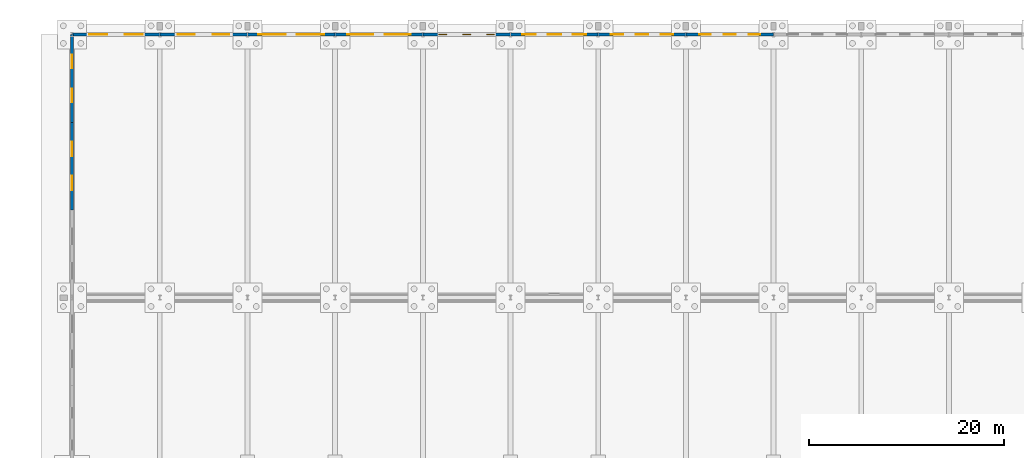
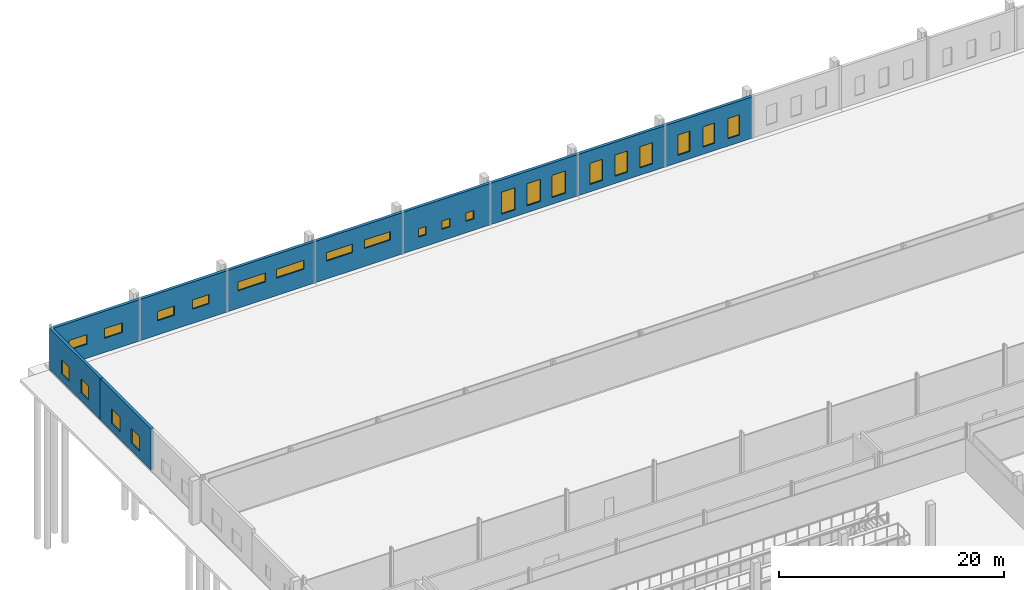
# One storey, part 83 of 112: 24 windows, 10 walls, 24 openings.
"""IFC4 building model written with IfcOpenShell, lengths in metres."""

from ifc_helpers import new_model, si_unit, direction, frame, frame_2d, origin, place, context, subcontext, project, spatial, rectangle, extrude, material, layer, layer_set, type_object, element, fill, save


model = new_model("IFC4")

# Units and contexts
model_context = context("Model", 3, precision=1e-05, world=origin(), true_north=direction((0.0, 1.0)))
body_context = subcontext(model_context, "Body", "Model", "MODEL_VIEW")
ifc_project = project(units=[si_unit("LENGTHUNIT", "METRE"), si_unit("AREAUNIT", "SQUARE_METRE"), si_unit("VOLUMEUNIT", "CUBIC_METRE"), si_unit("PLANEANGLEUNIT", "RADIAN"), si_unit("MASSUNIT", "GRAM", prefix="KILO")], contexts=[model_context])

# Site, building, storey
site_placement = place(None, origin())
site = spatial("IfcSite", under=ifc_project, at=site_placement, CompositionType="ELEMENT")
building_placement = place(site_placement, origin())
building = spatial("IfcBuilding", under=site, at=building_placement, Name="Tharagai Park Tramway Depot", CompositionType="ELEMENT")
storey_placement = place(building_placement, origin())
storey = spatial("IfcBuildingStorey", under=building, at=storey_placement, Name="L00", CompositionType="ELEMENT", Elevation=0.0)

# Wall, openings, windows
ifc_material_1 = material(Name="Pressed clay brick", Category="masonry")
ifc_layer = layer(ifc_material_1, 0.300048828125)
ifc_layer_set = layer_set([ifc_layer], Name="Pressed clay brick")
wall_type = type_object("IfcWallType", Name="EW-08", PredefinedType="SOLIDWALL", material=ifc_layer_set)
wall_1_placement = place(storey_placement, frame((0.00390625, 144.0, 0.0), z_axis=(0.0, 0.0, 1.0), x_axis=(1.0, 0.0, 0.0)))
wall_1 = element("IfcWall", 1, at=wall_1_placement, inside=storey, type_object=wall_type, Name="L00 V1 Exterior Masonry Wall EW-08", PredefinedType="SOLIDWALL", context=body_context, shape_type="SweptSolid", body=[
    extrude(rectangle(XDim=8.9921875, YDim=0.300048828125, at=frame_2d((4.49609375, 0.0))), origin(), (0.0, 0.0, 1.0), 4.491943359375),
])
opening_1_placement = place(wall_1_placement, frame((1.763916015625, 0.0, 1.550048828125)))
opening_1 = element("IfcOpeningElement", 2, at=opening_1_placement, cuts=wall_1, Name="Opening WN-05", PredefinedType="OPENING", context=body_context, shape_type="SweptSolid", body=[
    extrude(rectangle(XDim=1.85009765625, YDim=1.0400390625, at=frame_2d((0.925048828125, 0.52001953125))), frame((0.0, 0.159912109375, 0.0), z_axis=(0.0, -1.0, 0.0), x_axis=(1.0, 0.0, 0.0)), (0.0, 0.0, 1.0), 0.320068359375),
])
opening_2_placement = place(wall_1_placement, frame((5.3779296875, 0.0, 1.550048828125)))
opening_2 = element("IfcOpeningElement", 3, at=opening_2_placement, cuts=wall_1, Name="Opening WN-05", PredefinedType="OPENING", context=body_context, shape_type="SweptSolid", body=[
    extrude(rectangle(XDim=1.85009765625, YDim=1.0400390625, at=frame_2d((0.925048828125, 0.52001953125))), frame((0.0, 0.159912109375, 0.0), z_axis=(0.0, -1.0, 0.0), x_axis=(1.0, 0.0, 0.0)), (0.0, 0.0, 1.0), 0.320068359375),
])
ifc_material_2 = material(Name="Laminated solar-control glass", Category="glass")
window_type_1 = type_object("IfcWindowType", Name="WN-05", PartitioningType="SINGLE_PANEL", PredefinedType="WINDOW", material=ifc_material_2)
window_1_placement = place(opening_1_placement, origin())
window_1 = element("IfcWindow", 4, at=window_1_placement, inside=storey, type_object=window_type_1, Name="L00 V1 Gothic Lancet Window WN-05", OverallHeight=1.0400390625, OverallWidth=1.85009765625, PartitioningType="SINGLE_PANEL", PredefinedType="WINDOW", context=body_context, shape_type="SweptSolid", body=[
    extrude(rectangle(XDim=1.85009765625, YDim=1.0400390625, at=frame_2d((0.925048828125, 0.52001953125))), frame((0.0, 0.030029296875, 0.0), z_axis=(0.0, -1.0, 0.0), x_axis=(1.0, 0.0, 0.0)), (0.0, 0.0, 1.0), 0.06005859375),
])
fill(opening_1, window_1)
window_2_placement = place(opening_2_placement, origin())
window_2 = element("IfcWindow", 5, at=window_2_placement, inside=storey, type_object=window_type_1, Name="L00 V1 Gothic Lancet Window WN-05", OverallHeight=1.0400390625, OverallWidth=1.85009765625, PartitioningType="SINGLE_PANEL", PredefinedType="WINDOW", context=body_context, shape_type="SweptSolid", body=[
    extrude(rectangle(XDim=1.85009765625, YDim=1.0400390625, at=frame_2d((0.925048828125, 0.52001953125))), frame((0.0, 0.030029296875, 0.0), z_axis=(0.0, -1.0, 0.0), x_axis=(1.0, 0.0, 0.0)), (0.0, 0.0, 1.0), 0.06005859375),
])
fill(opening_2, window_2)

wall_2_placement = place(storey_placement, frame((9.00390625, 144.0, 0.0), z_axis=(0.0, 0.0, 1.0), x_axis=(1.0, 0.0, 0.0)))
wall_2 = element("IfcWall", 6, at=wall_2_placement, inside=storey, type_object=wall_type, Name="L00 V1 Exterior Masonry Wall EW-08", PredefinedType="SOLIDWALL", context=body_context, shape_type="SweptSolid", body=[
    extrude(rectangle(XDim=8.9921875, YDim=0.300048828125, at=frame_2d((4.49609375, 0.0))), origin(), (0.0, 0.0, 1.0), 4.491943359375),
])
opening_3_placement = place(wall_2_placement, frame((1.864013671875, 0.0, 1.550048828125)))
opening_3 = element("IfcOpeningElement", 7, at=opening_3_placement, cuts=wall_2, Name="Opening WN-31", PredefinedType="OPENING", context=body_context, shape_type="SweptSolid", body=[
    extrude(rectangle(XDim=1.699951171875, YDim=1.0, at=frame_2d((0.85009765625, 0.5))), frame((0.0, 0.159912109375, 0.0), z_axis=(0.0, -1.0, 0.0), x_axis=(1.0, 0.0, 0.0)), (0.0, 0.0, 1.0), 0.320068359375),
])
opening_4_placement = place(wall_2_placement, frame((5.427978515625, 0.0, 1.550048828125)))
opening_4 = element("IfcOpeningElement", 8, at=opening_4_placement, cuts=wall_2, Name="Opening WN-31", PredefinedType="OPENING", context=body_context, shape_type="SweptSolid", body=[
    extrude(rectangle(XDim=1.699951171875, YDim=1.0, at=frame_2d((0.85009765625, 0.5))), frame((0.0, 0.159912109375, 0.0), z_axis=(0.0, -1.0, 0.0), x_axis=(1.0, 0.0, 0.0)), (0.0, 0.0, 1.0), 0.320068359375),
])
window_type_2 = type_object("IfcWindowType", Name="WN-31", PartitioningType="SINGLE_PANEL", PredefinedType="WINDOW", material=ifc_material_2)
window_3_placement = place(opening_3_placement, origin())
window_3 = element("IfcWindow", 9, at=window_3_placement, inside=storey, type_object=window_type_2, Name="L00 V1 Gothic Lancet Window WN-31", OverallHeight=1.0, OverallWidth=1.699951171875, PartitioningType="SINGLE_PANEL", PredefinedType="WINDOW", context=body_context, shape_type="SweptSolid", body=[
    extrude(rectangle(XDim=1.699951171875, YDim=1.0, at=frame_2d((0.85009765625, 0.5))), frame((0.0, 0.030029296875, 0.0), z_axis=(0.0, -1.0, 0.0), x_axis=(1.0, 0.0, 0.0)), (0.0, 0.0, 1.0), 0.06005859375),
])
fill(opening_3, window_3)
window_4_placement = place(opening_4_placement, origin())
window_4 = element("IfcWindow", 10, at=window_4_placement, inside=storey, type_object=window_type_2, Name="L00 V1 Gothic Lancet Window WN-31", OverallHeight=1.0, OverallWidth=1.699951171875, PartitioningType="SINGLE_PANEL", PredefinedType="WINDOW", context=body_context, shape_type="SweptSolid", body=[
    extrude(rectangle(XDim=1.699951171875, YDim=1.0, at=frame_2d((0.85009765625, 0.5))), frame((0.0, 0.030029296875, 0.0), z_axis=(0.0, -1.0, 0.0), x_axis=(1.0, 0.0, 0.0)), (0.0, 0.0, 1.0), 0.06005859375),
])
fill(opening_4, window_4)

wall_3_placement = place(storey_placement, frame((18.00390625, 144.0, 0.0), z_axis=(0.0, 0.0, 1.0), x_axis=(1.0, 0.0, 0.0)))
wall_3 = element("IfcWall", 11, at=wall_3_placement, inside=storey, type_object=wall_type, Name="L00 V1 Exterior Masonry Wall EW-08", PredefinedType="SOLIDWALL", context=body_context, shape_type="SweptSolid", body=[
    extrude(rectangle(XDim=8.9921875, YDim=0.300048828125, at=frame_2d((4.49609375, 0.0))), origin(), (0.0, 0.0, 1.0), 4.491943359375),
])
opening_5_placement = place(wall_3_placement, frame((1.096923828125, 0.0, 1.89990234375)))
opening_5 = element("IfcOpeningElement", 12, at=opening_5_placement, cuts=wall_3, Name="Opening WN-14", PredefinedType="OPENING", context=body_context, shape_type="SweptSolid", body=[
    extrude(rectangle(XDim=2.85009765625, YDim=0.9599609375, at=frame_2d((1.425048828125, 0.47998046875))), frame((0.0, 0.159912109375, 0.0), z_axis=(0.0, -1.0, 0.0), x_axis=(1.0, 0.0, 0.0)), (0.0, 0.0, 1.0), 0.320068359375),
])
opening_6_placement = place(wall_3_placement, frame((5.044921875, 0.0, 1.89990234375)))
opening_6 = element("IfcOpeningElement", 13, at=opening_6_placement, cuts=wall_3, Name="Opening WN-14", PredefinedType="OPENING", context=body_context, shape_type="SweptSolid", body=[
    extrude(rectangle(XDim=2.85009765625, YDim=0.9599609375, at=frame_2d((1.425048828125, 0.47998046875))), frame((0.0, 0.159912109375, 0.0), z_axis=(0.0, -1.0, 0.0), x_axis=(1.0, 0.0, 0.0)), (0.0, 0.0, 1.0), 0.320068359375),
])
window_type_3 = type_object("IfcWindowType", Name="WN-14", PartitioningType="SINGLE_PANEL", PredefinedType="WINDOW", material=ifc_material_2)
window_5_placement = place(opening_5_placement, origin())
window_5 = element("IfcWindow", 14, at=window_5_placement, inside=storey, type_object=window_type_3, Name="L00 V1 Gothic Lancet Window WN-14", OverallHeight=0.9599609375, OverallWidth=2.85009765625, PartitioningType="SINGLE_PANEL", PredefinedType="WINDOW", context=body_context, shape_type="SweptSolid", body=[
    extrude(rectangle(XDim=2.85009765625, YDim=0.9599609375, at=frame_2d((1.425048828125, 0.47998046875))), frame((0.0, 0.030029296875, 0.0), z_axis=(0.0, -1.0, 0.0), x_axis=(1.0, 0.0, 0.0)), (0.0, 0.0, 1.0), 0.06005859375),
])
fill(opening_5, window_5)
window_6_placement = place(opening_6_placement, origin())
window_6 = element("IfcWindow", 15, at=window_6_placement, inside=storey, type_object=window_type_3, Name="L00 V1 Gothic Lancet Window WN-14", OverallHeight=0.9599609375, OverallWidth=2.85009765625, PartitioningType="SINGLE_PANEL", PredefinedType="WINDOW", context=body_context, shape_type="SweptSolid", body=[
    extrude(rectangle(XDim=2.85009765625, YDim=0.9599609375, at=frame_2d((1.425048828125, 0.47998046875))), frame((0.0, 0.030029296875, 0.0), z_axis=(0.0, -1.0, 0.0), x_axis=(1.0, 0.0, 0.0)), (0.0, 0.0, 1.0), 0.06005859375),
])
fill(opening_6, window_6)

wall_4_placement = place(storey_placement, frame((27.00390625, 144.0, 0.0), z_axis=(0.0, 0.0, 1.0), x_axis=(1.0, 0.0, 0.0)))
wall_4 = element("IfcWall", 16, at=wall_4_placement, inside=storey, type_object=wall_type, Name="L00 V1 Exterior Masonry Wall EW-08", PredefinedType="SOLIDWALL", context=body_context, shape_type="SweptSolid", body=[
    extrude(rectangle(XDim=8.9921875, YDim=0.300048828125, at=frame_2d((4.49609375, 0.0))), origin(), (0.0, 0.0, 1.0), 4.491943359375),
])
opening_7_placement = place(wall_4_placement, frame((1.23095703125, 0.0, 1.949951171875)))
opening_7 = element("IfcOpeningElement", 17, at=opening_7_placement, cuts=wall_4, Name="Opening WN-46", PredefinedType="OPENING", context=body_context, shape_type="SweptSolid", body=[
    extrude(rectangle(XDim=2.64990234375, YDim=0.919921875, at=frame_2d((1.324951171875, 0.4599609375))), frame((0.0, 0.159912109375, 0.0), z_axis=(0.0, -1.0, 0.0), x_axis=(1.0, 0.0, 0.0)), (0.0, 0.0, 1.0), 0.320068359375),
])
opening_8_placement = place(wall_4_placement, frame((5.111083984375, 0.0, 1.949951171875)))
opening_8 = element("IfcOpeningElement", 18, at=opening_8_placement, cuts=wall_4, Name="Opening WN-46", PredefinedType="OPENING", context=body_context, shape_type="SweptSolid", body=[
    extrude(rectangle(XDim=2.64990234375, YDim=0.919921875, at=frame_2d((1.324951171875, 0.4599609375))), frame((0.0, 0.159912109375, 0.0), z_axis=(0.0, -1.0, 0.0), x_axis=(1.0, 0.0, 0.0)), (0.0, 0.0, 1.0), 0.320068359375),
])
window_type_4 = type_object("IfcWindowType", Name="WN-46", PartitioningType="SINGLE_PANEL", PredefinedType="WINDOW", material=ifc_material_2)
window_7_placement = place(opening_7_placement, origin())
window_7 = element("IfcWindow", 19, at=window_7_placement, inside=storey, type_object=window_type_4, Name="L00 V1 Gothic Lancet Window WN-46", OverallHeight=0.919921875, OverallWidth=2.64990234375, PartitioningType="SINGLE_PANEL", PredefinedType="WINDOW", context=body_context, shape_type="SweptSolid", body=[
    extrude(rectangle(XDim=2.64990234375, YDim=0.919921875, at=frame_2d((1.324951171875, 0.4599609375))), frame((0.0, 0.030029296875, 0.0), z_axis=(0.0, -1.0, 0.0), x_axis=(1.0, 0.0, 0.0)), (0.0, 0.0, 1.0), 0.06005859375),
])
fill(opening_7, window_7)
window_8_placement = place(opening_8_placement, origin())
window_8 = element("IfcWindow", 20, at=window_8_placement, inside=storey, type_object=window_type_4, Name="L00 V1 Gothic Lancet Window WN-46", OverallHeight=0.919921875, OverallWidth=2.64990234375, PartitioningType="SINGLE_PANEL", PredefinedType="WINDOW", context=body_context, shape_type="SweptSolid", body=[
    extrude(rectangle(XDim=2.64990234375, YDim=0.919921875, at=frame_2d((1.324951171875, 0.4599609375))), frame((0.0, 0.030029296875, 0.0), z_axis=(0.0, -1.0, 0.0), x_axis=(1.0, 0.0, 0.0)), (0.0, 0.0, 1.0), 0.06005859375),
])
fill(opening_8, window_8)

wall_5_placement = place(storey_placement, frame((36.00390625, 144.0, 0.0), z_axis=(0.0, 0.0, 1.0), x_axis=(1.0, 0.0, 0.0)))
wall_5 = element("IfcWall", 21, at=wall_5_placement, inside=storey, type_object=wall_type, Name="L00 V1 Exterior Masonry Wall EW-08", PredefinedType="SOLIDWALL", context=body_context, shape_type="SweptSolid", body=[
    extrude(rectangle(XDim=8.9921875, YDim=0.300048828125, at=frame_2d((4.49609375, 0.0))), origin(), (0.0, 0.0, 1.0), 4.491943359375),
])
opening_9_placement = place(wall_5_placement, frame((1.64794921875, 0.0, 1.25)))
opening_9 = element("IfcOpeningElement", 22, at=opening_9_placement, cuts=wall_5, Name="Opening WN-30", PredefinedType="OPENING", context=body_context, shape_type="SweptSolid", body=[
    extrude(rectangle(XDim=0.800048828125, YDim=0.89990234375, at=frame_2d((0.39990234375, 0.449951171875))), frame((0.0, 0.159912109375, 0.0), z_axis=(0.0, -1.0, 0.0), x_axis=(1.0, 0.0, 0.0)), (0.0, 0.0, 1.0), 0.320068359375),
])
opening_10_placement = place(wall_5_placement, frame((4.095947265625, 0.0, 1.25)))
opening_10 = element("IfcOpeningElement", 23, at=opening_10_placement, cuts=wall_5, Name="Opening WN-30", PredefinedType="OPENING", context=body_context, shape_type="SweptSolid", body=[
    extrude(rectangle(XDim=0.800048828125, YDim=0.89990234375, at=frame_2d((0.39990234375, 0.449951171875))), frame((0.0, 0.159912109375, 0.0), z_axis=(0.0, -1.0, 0.0), x_axis=(1.0, 0.0, 0.0)), (0.0, 0.0, 1.0), 0.320068359375),
])
opening_11_placement = place(wall_5_placement, frame((6.5439453125, 0.0, 1.25)))
opening_11 = element("IfcOpeningElement", 24, at=opening_11_placement, cuts=wall_5, Name="Opening WN-30", PredefinedType="OPENING", context=body_context, shape_type="SweptSolid", body=[
    extrude(rectangle(XDim=0.800048828125, YDim=0.89990234375, at=frame_2d((0.39990234375, 0.449951171875))), frame((0.0, 0.159912109375, 0.0), z_axis=(0.0, -1.0, 0.0), x_axis=(1.0, 0.0, 0.0)), (0.0, 0.0, 1.0), 0.320068359375),
])
window_type_5 = type_object("IfcWindowType", Name="WN-30", PartitioningType="SINGLE_PANEL", PredefinedType="WINDOW", material=ifc_material_2)
window_9_placement = place(opening_9_placement, origin())
window_9 = element("IfcWindow", 25, at=window_9_placement, inside=storey, type_object=window_type_5, Name="L00 V1 Gothic Lancet Window WN-30", OverallHeight=0.89990234375, OverallWidth=0.800048828125, PartitioningType="SINGLE_PANEL", PredefinedType="WINDOW", context=body_context, shape_type="SweptSolid", body=[
    extrude(rectangle(XDim=0.800048828125, YDim=0.89990234375, at=frame_2d((0.39990234375, 0.449951171875))), frame((0.0, 0.030029296875, 0.0), z_axis=(0.0, -1.0, 0.0), x_axis=(1.0, 0.0, 0.0)), (0.0, 0.0, 1.0), 0.06005859375),
])
fill(opening_9, window_9)
window_10_placement = place(opening_10_placement, origin())
window_10 = element("IfcWindow", 26, at=window_10_placement, inside=storey, type_object=window_type_5, Name="L00 V1 Gothic Lancet Window WN-30", OverallHeight=0.89990234375, OverallWidth=0.800048828125, PartitioningType="SINGLE_PANEL", PredefinedType="WINDOW", context=body_context, shape_type="SweptSolid", body=[
    extrude(rectangle(XDim=0.800048828125, YDim=0.89990234375, at=frame_2d((0.39990234375, 0.449951171875))), frame((0.0, 0.030029296875, 0.0), z_axis=(0.0, -1.0, 0.0), x_axis=(1.0, 0.0, 0.0)), (0.0, 0.0, 1.0), 0.06005859375),
])
fill(opening_10, window_10)
window_11_placement = place(opening_11_placement, origin())
window_11 = element("IfcWindow", 27, at=window_11_placement, inside=storey, type_object=window_type_5, Name="L00 V1 Gothic Lancet Window WN-30", OverallHeight=0.89990234375, OverallWidth=0.800048828125, PartitioningType="SINGLE_PANEL", PredefinedType="WINDOW", context=body_context, shape_type="SweptSolid", body=[
    extrude(rectangle(XDim=0.800048828125, YDim=0.89990234375, at=frame_2d((0.39990234375, 0.449951171875))), frame((0.0, 0.030029296875, 0.0), z_axis=(0.0, -1.0, 0.0), x_axis=(1.0, 0.0, 0.0)), (0.0, 0.0, 1.0), 0.06005859375),
])
fill(opening_11, window_11)

wall_6_placement = place(storey_placement, frame((45.00390625, 144.0, 0.0), z_axis=(0.0, 0.0, 1.0), x_axis=(1.0, 0.0, 0.0)))
wall_6 = element("IfcWall", 28, at=wall_6_placement, inside=storey, type_object=wall_type, Name="L00 V1 Exterior Masonry Wall EW-08", PredefinedType="SOLIDWALL", context=body_context, shape_type="SweptSolid", body=[
    extrude(rectangle(XDim=8.9921875, YDim=0.300048828125, at=frame_2d((4.49609375, 0.0))), origin(), (0.0, 0.0, 1.0), 4.491943359375),
])
opening_12_placement = place(wall_6_placement, frame((1.197998046875, 0.0, 0.75)))
opening_12 = element("IfcOpeningElement", 29, at=opening_12_placement, cuts=wall_6, Name="Opening WN-29", PredefinedType="OPENING", context=body_context, shape_type="SweptSolid", body=[
    extrude(rectangle(XDim=1.39990234375, YDim=2.39990234375, at=frame_2d((0.699951171875, 1.199951171875))), frame((0.0, 0.159912109375, 0.0), z_axis=(0.0, -1.0, 0.0), x_axis=(1.0, 0.0, 0.0)), (0.0, 0.0, 1.0), 0.320068359375),
])
opening_13_placement = place(wall_6_placement, frame((3.7958984375, 0.0, 0.75)))
opening_13 = element("IfcOpeningElement", 30, at=opening_13_placement, cuts=wall_6, Name="Opening WN-29", PredefinedType="OPENING", context=body_context, shape_type="SweptSolid", body=[
    extrude(rectangle(XDim=1.39990234375, YDim=2.39990234375, at=frame_2d((0.699951171875, 1.199951171875))), frame((0.0, 0.159912109375, 0.0), z_axis=(0.0, -1.0, 0.0), x_axis=(1.0, 0.0, 0.0)), (0.0, 0.0, 1.0), 0.320068359375),
])
opening_14_placement = place(wall_6_placement, frame((6.39404296875, 0.0, 0.75)))
opening_14 = element("IfcOpeningElement", 31, at=opening_14_placement, cuts=wall_6, Name="Opening WN-29", PredefinedType="OPENING", context=body_context, shape_type="SweptSolid", body=[
    extrude(rectangle(XDim=1.39990234375, YDim=2.39990234375, at=frame_2d((0.699951171875, 1.199951171875))), frame((0.0, 0.159912109375, 0.0), z_axis=(0.0, -1.0, 0.0), x_axis=(1.0, 0.0, 0.0)), (0.0, 0.0, 1.0), 0.320068359375),
])
window_type_6 = type_object("IfcWindowType", Name="WN-29", PartitioningType="SINGLE_PANEL", PredefinedType="WINDOW", material=ifc_material_2)
window_12_placement = place(opening_12_placement, origin())
window_12 = element("IfcWindow", 32, at=window_12_placement, inside=storey, type_object=window_type_6, Name="L00 V1 Gothic Lancet Window WN-29", OverallHeight=2.39990234375, OverallWidth=1.39990234375, PartitioningType="SINGLE_PANEL", PredefinedType="WINDOW", context=body_context, shape_type="SweptSolid", body=[
    extrude(rectangle(XDim=1.39990234375, YDim=2.39990234375, at=frame_2d((0.699951171875, 1.199951171875))), frame((0.0, 0.030029296875, 0.0), z_axis=(0.0, -1.0, 0.0), x_axis=(1.0, 0.0, 0.0)), (0.0, 0.0, 1.0), 0.06005859375),
])
fill(opening_12, window_12)
window_13_placement = place(opening_13_placement, origin())
window_13 = element("IfcWindow", 33, at=window_13_placement, inside=storey, type_object=window_type_6, Name="L00 V1 Gothic Lancet Window WN-29", OverallHeight=2.39990234375, OverallWidth=1.39990234375, PartitioningType="SINGLE_PANEL", PredefinedType="WINDOW", context=body_context, shape_type="SweptSolid", body=[
    extrude(rectangle(XDim=1.39990234375, YDim=2.39990234375, at=frame_2d((0.699951171875, 1.199951171875))), frame((0.0, 0.030029296875, 0.0), z_axis=(0.0, -1.0, 0.0), x_axis=(1.0, 0.0, 0.0)), (0.0, 0.0, 1.0), 0.06005859375),
])
fill(opening_13, window_13)
window_14_placement = place(opening_14_placement, origin())
window_14 = element("IfcWindow", 34, at=window_14_placement, inside=storey, type_object=window_type_6, Name="L00 V1 Gothic Lancet Window WN-29", OverallHeight=2.39990234375, OverallWidth=1.39990234375, PartitioningType="SINGLE_PANEL", PredefinedType="WINDOW", context=body_context, shape_type="SweptSolid", body=[
    extrude(rectangle(XDim=1.39990234375, YDim=2.39990234375, at=frame_2d((0.699951171875, 1.199951171875))), frame((0.0, 0.030029296875, 0.0), z_axis=(0.0, -1.0, 0.0), x_axis=(1.0, 0.0, 0.0)), (0.0, 0.0, 1.0), 0.06005859375),
])
fill(opening_14, window_14)

wall_7_placement = place(storey_placement, frame((54.00390625, 144.0, 0.0), z_axis=(0.0, 0.0, 1.0), x_axis=(1.0, 0.0, 0.0)))
wall_7 = element("IfcWall", 35, at=wall_7_placement, inside=storey, type_object=wall_type, Name="L00 V1 Exterior Masonry Wall EW-08", PredefinedType="SOLIDWALL", context=body_context, shape_type="SweptSolid", body=[
    extrude(rectangle(XDim=8.9921875, YDim=0.300048828125, at=frame_2d((4.49609375, 0.0))), origin(), (0.0, 0.0, 1.0), 4.491943359375),
])
opening_15_placement = place(wall_7_placement, frame((1.27294921875, 0.0, 0.800048828125)))
opening_15 = element("IfcOpeningElement", 36, at=opening_15_placement, cuts=wall_7, Name="Opening WN-27", PredefinedType="OPENING", context=body_context, shape_type="SweptSolid", body=[
    extrude(rectangle(XDim=1.300048828125, YDim=2.300048828125, at=frame_2d((0.64990234375, 1.14990234375))), frame((0.0, 0.159912109375, 0.0), z_axis=(0.0, -1.0, 0.0), x_axis=(1.0, 0.0, 0.0)), (0.0, 0.0, 1.0), 0.320068359375),
])
opening_16_placement = place(wall_7_placement, frame((3.845947265625, 0.0, 0.800048828125)))
opening_16 = element("IfcOpeningElement", 37, at=opening_16_placement, cuts=wall_7, Name="Opening WN-27", PredefinedType="OPENING", context=body_context, shape_type="SweptSolid", body=[
    extrude(rectangle(XDim=1.300048828125, YDim=2.300048828125, at=frame_2d((0.64990234375, 1.14990234375))), frame((0.0, 0.159912109375, 0.0), z_axis=(0.0, -1.0, 0.0), x_axis=(1.0, 0.0, 0.0)), (0.0, 0.0, 1.0), 0.320068359375),
])
opening_17_placement = place(wall_7_placement, frame((6.4189453125, 0.0, 0.800048828125)))
opening_17 = element("IfcOpeningElement", 38, at=opening_17_placement, cuts=wall_7, Name="Opening WN-27", PredefinedType="OPENING", context=body_context, shape_type="SweptSolid", body=[
    extrude(rectangle(XDim=1.300048828125, YDim=2.300048828125, at=frame_2d((0.64990234375, 1.14990234375))), frame((0.0, 0.159912109375, 0.0), z_axis=(0.0, -1.0, 0.0), x_axis=(1.0, 0.0, 0.0)), (0.0, 0.0, 1.0), 0.320068359375),
])
window_type_7 = type_object("IfcWindowType", Name="WN-27", PartitioningType="SINGLE_PANEL", PredefinedType="WINDOW", material=ifc_material_2)
window_15_placement = place(opening_15_placement, origin())
window_15 = element("IfcWindow", 39, at=window_15_placement, inside=storey, type_object=window_type_7, Name="L00 V1 Gothic Lancet Window WN-27", OverallHeight=2.300048828125, OverallWidth=1.300048828125, PartitioningType="SINGLE_PANEL", PredefinedType="WINDOW", context=body_context, shape_type="SweptSolid", body=[
    extrude(rectangle(XDim=1.300048828125, YDim=2.300048828125, at=frame_2d((0.64990234375, 1.14990234375))), frame((0.0, 0.030029296875, 0.0), z_axis=(0.0, -1.0, 0.0), x_axis=(1.0, 0.0, 0.0)), (0.0, 0.0, 1.0), 0.06005859375),
])
fill(opening_15, window_15)
window_16_placement = place(opening_16_placement, origin())
window_16 = element("IfcWindow", 40, at=window_16_placement, inside=storey, type_object=window_type_7, Name="L00 V1 Gothic Lancet Window WN-27", OverallHeight=2.300048828125, OverallWidth=1.300048828125, PartitioningType="SINGLE_PANEL", PredefinedType="WINDOW", context=body_context, shape_type="SweptSolid", body=[
    extrude(rectangle(XDim=1.300048828125, YDim=2.300048828125, at=frame_2d((0.64990234375, 1.14990234375))), frame((0.0, 0.030029296875, 0.0), z_axis=(0.0, -1.0, 0.0), x_axis=(1.0, 0.0, 0.0)), (0.0, 0.0, 1.0), 0.06005859375),
])
fill(opening_16, window_16)
window_17_placement = place(opening_17_placement, origin())
window_17 = element("IfcWindow", 41, at=window_17_placement, inside=storey, type_object=window_type_7, Name="L00 V1 Gothic Lancet Window WN-27", OverallHeight=2.300048828125, OverallWidth=1.300048828125, PartitioningType="SINGLE_PANEL", PredefinedType="WINDOW", context=body_context, shape_type="SweptSolid", body=[
    extrude(rectangle(XDim=1.300048828125, YDim=2.300048828125, at=frame_2d((0.64990234375, 1.14990234375))), frame((0.0, 0.030029296875, 0.0), z_axis=(0.0, -1.0, 0.0), x_axis=(1.0, 0.0, 0.0)), (0.0, 0.0, 1.0), 0.06005859375),
])
fill(opening_17, window_17)

wall_8_placement = place(storey_placement, frame((63.00390625, 144.0, 0.0), z_axis=(0.0, 0.0, 1.0), x_axis=(1.0, 0.0, 0.0)))
wall_8 = element("IfcWall", 42, at=wall_8_placement, inside=storey, type_object=wall_type, Name="L00 V1 Exterior Masonry Wall EW-08", PredefinedType="SOLIDWALL", context=body_context, shape_type="SweptSolid", body=[
    extrude(rectangle(XDim=8.9921875, YDim=0.300048828125, at=frame_2d((4.49609375, 0.0))), origin(), (0.0, 0.0, 1.0), 4.491943359375),
])
opening_18_placement = place(wall_8_placement, frame((1.347900390625, 0.0, 0.800048828125)))
opening_18 = element("IfcOpeningElement", 43, at=opening_18_placement, cuts=wall_8, Name="Opening WN-15", PredefinedType="OPENING", context=body_context, shape_type="SweptSolid", body=[
    extrude(rectangle(XDim=1.199951171875, YDim=2.199951171875, at=frame_2d((0.60009765625, 1.10009765625))), frame((0.0, 0.159912109375, 0.0), z_axis=(0.0, -1.0, 0.0), x_axis=(1.0, 0.0, 0.0)), (0.0, 0.0, 1.0), 0.320068359375),
])
opening_19_placement = place(wall_8_placement, frame((3.89599609375, 0.0, 0.800048828125)))
opening_19 = element("IfcOpeningElement", 44, at=opening_19_placement, cuts=wall_8, Name="Opening WN-15", PredefinedType="OPENING", context=body_context, shape_type="SweptSolid", body=[
    extrude(rectangle(XDim=1.199951171875, YDim=2.199951171875, at=frame_2d((0.60009765625, 1.10009765625))), frame((0.0, 0.159912109375, 0.0), z_axis=(0.0, -1.0, 0.0), x_axis=(1.0, 0.0, 0.0)), (0.0, 0.0, 1.0), 0.320068359375),
])
opening_20_placement = place(wall_8_placement, frame((6.444091796875, 0.0, 0.800048828125)))
opening_20 = element("IfcOpeningElement", 45, at=opening_20_placement, cuts=wall_8, Name="Opening WN-15", PredefinedType="OPENING", context=body_context, shape_type="SweptSolid", body=[
    extrude(rectangle(XDim=1.199951171875, YDim=2.199951171875, at=frame_2d((0.60009765625, 1.10009765625))), frame((0.0, 0.159912109375, 0.0), z_axis=(0.0, -1.0, 0.0), x_axis=(1.0, 0.0, 0.0)), (0.0, 0.0, 1.0), 0.320068359375),
])
window_type_8 = type_object("IfcWindowType", Name="WN-15", PartitioningType="SINGLE_PANEL", PredefinedType="WINDOW", material=ifc_material_2)
window_18_placement = place(opening_18_placement, origin())
window_18 = element("IfcWindow", 46, at=window_18_placement, inside=storey, type_object=window_type_8, Name="L00 V1 Gothic Lancet Window WN-15", OverallHeight=2.199951171875, OverallWidth=1.199951171875, PartitioningType="SINGLE_PANEL", PredefinedType="WINDOW", context=body_context, shape_type="SweptSolid", body=[
    extrude(rectangle(XDim=1.199951171875, YDim=2.199951171875, at=frame_2d((0.60009765625, 1.10009765625))), frame((0.0, 0.030029296875, 0.0), z_axis=(0.0, -1.0, 0.0), x_axis=(1.0, 0.0, 0.0)), (0.0, 0.0, 1.0), 0.06005859375),
])
fill(opening_18, window_18)
window_19_placement = place(opening_19_placement, origin())
window_19 = element("IfcWindow", 47, at=window_19_placement, inside=storey, type_object=window_type_8, Name="L00 V1 Gothic Lancet Window WN-15", OverallHeight=2.199951171875, OverallWidth=1.199951171875, PartitioningType="SINGLE_PANEL", PredefinedType="WINDOW", context=body_context, shape_type="SweptSolid", body=[
    extrude(rectangle(XDim=1.199951171875, YDim=2.199951171875, at=frame_2d((0.60009765625, 1.10009765625))), frame((0.0, 0.030029296875, 0.0), z_axis=(0.0, -1.0, 0.0), x_axis=(1.0, 0.0, 0.0)), (0.0, 0.0, 1.0), 0.06005859375),
])
fill(opening_19, window_19)
window_20_placement = place(opening_20_placement, origin())
window_20 = element("IfcWindow", 48, at=window_20_placement, inside=storey, type_object=window_type_8, Name="L00 V1 Gothic Lancet Window WN-15", OverallHeight=2.199951171875, OverallWidth=1.199951171875, PartitioningType="SINGLE_PANEL", PredefinedType="WINDOW", context=body_context, shape_type="SweptSolid", body=[
    extrude(rectangle(XDim=1.199951171875, YDim=2.199951171875, at=frame_2d((0.60009765625, 1.10009765625))), frame((0.0, 0.030029296875, 0.0), z_axis=(0.0, -1.0, 0.0), x_axis=(1.0, 0.0, 0.0)), (0.0, 0.0, 1.0), 0.06005859375),
])
fill(opening_20, window_20)

wall_9_placement = place(storey_placement, frame((0.0, 126.0, 0.0), z_axis=(0.0, 0.0, 1.0), x_axis=(0.0, 1.0, 0.0)))
wall_9 = element("IfcWall", 49, at=wall_9_placement, inside=storey, type_object=wall_type, Name="L00 V1 Exterior Masonry Wall EW-08", PredefinedType="SOLIDWALL", context=body_context, shape_type="SweptSolid", body=[
    extrude(rectangle(XDim=9.0, YDim=0.300048828125, at=frame_2d((4.5, 0.0))), origin(), (0.0, 0.0, 1.0), 4.491943359375),
])
opening_21_placement = place(wall_9_placement, frame((2.012939453125, 0.0, 0.85009765625)))
opening_21 = element("IfcOpeningElement", 50, at=opening_21_placement, cuts=wall_9, Name="Opening WN-03", PredefinedType="OPENING", context=body_context, shape_type="SweptSolid", body=[
    extrude(rectangle(XDim=1.47998046875, YDim=1.56005859375, at=frame_2d((0.739990234375, 0.780029296875))), frame((0.0, 0.159912109375, 0.0), z_axis=(0.0, -1.0, 0.0), x_axis=(1.0, 0.0, 0.0)), (0.0, 0.0, 1.0), 0.320068359375),
])
opening_22_placement = place(wall_9_placement, frame((5.507080078125, 0.0, 0.85009765625)))
opening_22 = element("IfcOpeningElement", 51, at=opening_22_placement, cuts=wall_9, Name="Opening WN-03", PredefinedType="OPENING", context=body_context, shape_type="SweptSolid", body=[
    extrude(rectangle(XDim=1.47998046875, YDim=1.56005859375, at=frame_2d((0.739990234375, 0.780029296875))), frame((0.0, 0.159912109375, 0.0), z_axis=(0.0, -1.0, 0.0), x_axis=(1.0, 0.0, 0.0)), (0.0, 0.0, 1.0), 0.320068359375),
])
window_type_9 = type_object("IfcWindowType", Name="WN-03", PartitioningType="SINGLE_PANEL", PredefinedType="WINDOW", material=ifc_material_2)
window_21_placement = place(opening_21_placement, origin())
window_21 = element("IfcWindow", 52, at=window_21_placement, inside=storey, type_object=window_type_9, Name="L00 V1 Side Lancet Window WN-03", OverallHeight=1.56005859375, OverallWidth=1.47998046875, PartitioningType="SINGLE_PANEL", PredefinedType="WINDOW", context=body_context, shape_type="SweptSolid", body=[
    extrude(rectangle(XDim=1.47998046875, YDim=1.56005859375, at=frame_2d((0.739990234375, 0.780029296875))), frame((0.0, 0.030029296875, 0.0), z_axis=(0.0, -1.0, 0.0), x_axis=(1.0, 0.0, 0.0)), (0.0, 0.0, 1.0), 0.06005859375),
])
fill(opening_21, window_21)
window_22_placement = place(opening_22_placement, origin())
window_22 = element("IfcWindow", 53, at=window_22_placement, inside=storey, type_object=window_type_9, Name="L00 V1 Side Lancet Window WN-03", OverallHeight=1.56005859375, OverallWidth=1.47998046875, PartitioningType="SINGLE_PANEL", PredefinedType="WINDOW", context=body_context, shape_type="SweptSolid", body=[
    extrude(rectangle(XDim=1.47998046875, YDim=1.56005859375, at=frame_2d((0.739990234375, 0.780029296875))), frame((0.0, 0.030029296875, 0.0), z_axis=(0.0, -1.0, 0.0), x_axis=(1.0, 0.0, 0.0)), (0.0, 0.0, 1.0), 0.06005859375),
])
fill(opening_22, window_22)

wall_10_placement = place(storey_placement, frame((0.0, 135.0, 0.0), z_axis=(0.0, 0.0, 1.0), x_axis=(0.0, 1.0, 0.0)))
wall_10 = element("IfcWall", 54, at=wall_10_placement, inside=storey, type_object=wall_type, Name="L00 V1 Exterior Masonry Wall EW-08", PredefinedType="SOLIDWALL", context=body_context, shape_type="SweptSolid", body=[
    extrude(rectangle(XDim=8.99609375, YDim=0.300048828125, at=frame_2d((4.498046875, 0.0))), origin(), (0.0, 0.0, 1.0), 4.491943359375),
])
opening_23_placement = place(wall_10_placement, frame((2.0791015625, 0.0, 0.85009765625)))
opening_23 = element("IfcOpeningElement", 55, at=opening_23_placement, cuts=wall_10, Name="Opening WN-12", PredefinedType="OPENING", context=body_context, shape_type="SweptSolid", body=[
    extrude(rectangle(XDim=1.3798828125, YDim=1.52001953125, at=frame_2d((0.68994140625, 0.760009765625))), frame((0.0, 0.159912109375, 0.0), z_axis=(0.0, -1.0, 0.0), x_axis=(1.0, 0.0, 0.0)), (0.0, 0.0, 1.0), 0.320068359375),
])
opening_24_placement = place(wall_10_placement, frame((5.537109375, 0.0, 0.85009765625)))
opening_24 = element("IfcOpeningElement", 56, at=opening_24_placement, cuts=wall_10, Name="Opening WN-12", PredefinedType="OPENING", context=body_context, shape_type="SweptSolid", body=[
    extrude(rectangle(XDim=1.3798828125, YDim=1.52001953125, at=frame_2d((0.68994140625, 0.760009765625))), frame((0.0, 0.159912109375, 0.0), z_axis=(0.0, -1.0, 0.0), x_axis=(1.0, 0.0, 0.0)), (0.0, 0.0, 1.0), 0.320068359375),
])
window_type_10 = type_object("IfcWindowType", Name="WN-12", PartitioningType="SINGLE_PANEL", PredefinedType="WINDOW", material=ifc_material_2)
window_23_placement = place(opening_23_placement, origin())
window_23 = element("IfcWindow", 57, at=window_23_placement, inside=storey, type_object=window_type_10, Name="L00 V1 Side Lancet Window WN-12", OverallHeight=1.52001953125, OverallWidth=1.3798828125, PartitioningType="SINGLE_PANEL", PredefinedType="WINDOW", context=body_context, shape_type="SweptSolid", body=[
    extrude(rectangle(XDim=1.3798828125, YDim=1.52001953125, at=frame_2d((0.68994140625, 0.760009765625))), frame((0.0, 0.030029296875, 0.0), z_axis=(0.0, -1.0, 0.0), x_axis=(1.0, 0.0, 0.0)), (0.0, 0.0, 1.0), 0.06005859375),
])
fill(opening_23, window_23)
window_24_placement = place(opening_24_placement, origin())
window_24 = element("IfcWindow", 58, at=window_24_placement, inside=storey, type_object=window_type_10, Name="L00 V1 Side Lancet Window WN-12", OverallHeight=1.52001953125, OverallWidth=1.3798828125, PartitioningType="SINGLE_PANEL", PredefinedType="WINDOW", context=body_context, shape_type="SweptSolid", body=[
    extrude(rectangle(XDim=1.3798828125, YDim=1.52001953125, at=frame_2d((0.68994140625, 0.760009765625))), frame((0.0, 0.030029296875, 0.0), z_axis=(0.0, -1.0, 0.0), x_axis=(1.0, 0.0, 0.0)), (0.0, 0.0, 1.0), 0.06005859375),
])
fill(opening_24, window_24)

save(model, "model.ifc")
